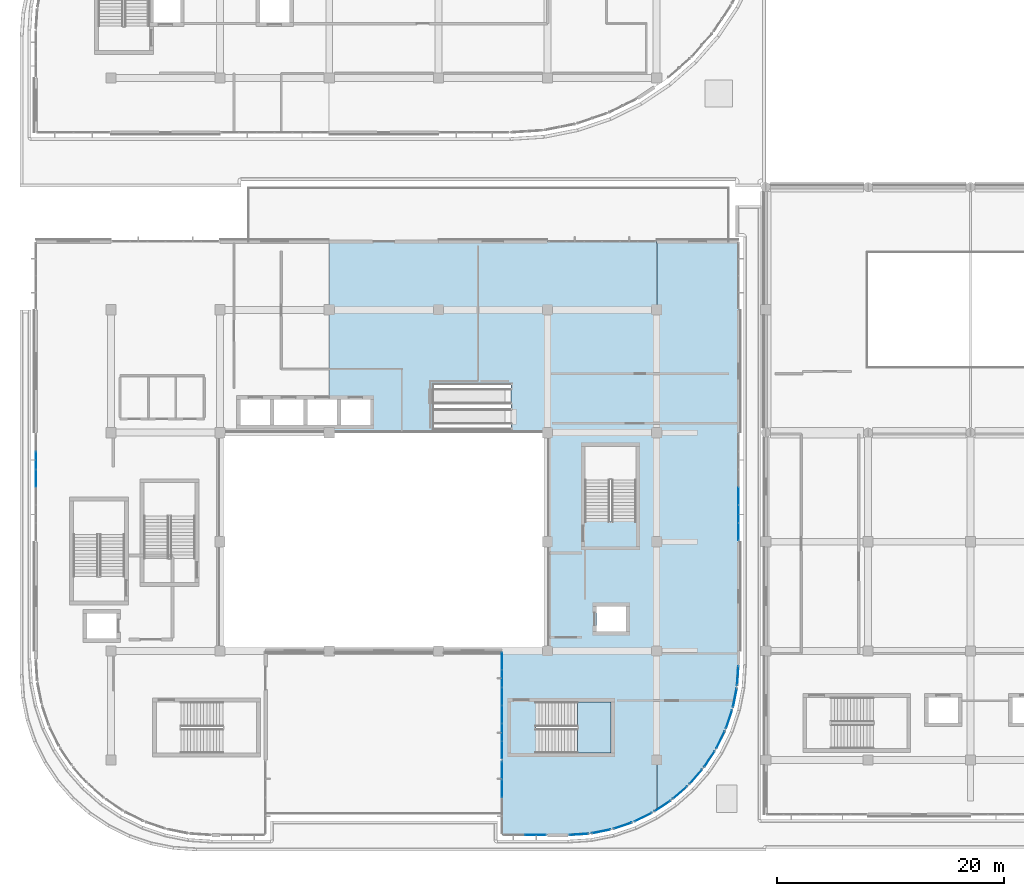
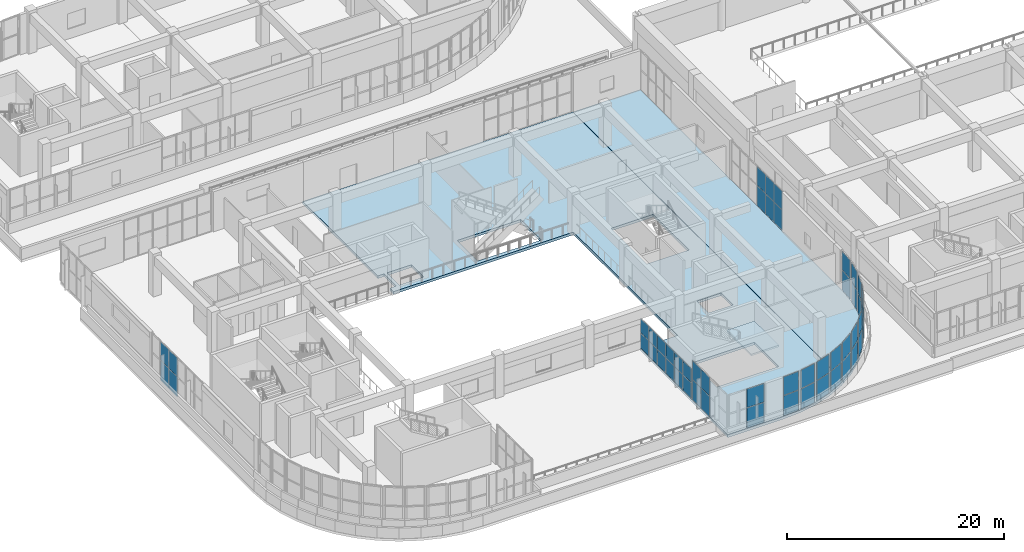
# One storey, part 45 of 96: 52 plates, 3 slabs, 18 elements without a shape of their own.
"""IFC4 building model written with IfcOpenShell, lengths in metres."""

from ifc_helpers import new_model, si_unit, direction, frame, origin, origin_2d, place, context, subcontext, project, spatial, polyline, rectangle, outline, extrude, material, layer, layer_set, type_object, element, aggregate, save


model = new_model("IFC4")

# Units and contexts
model_context = context("Model", 3, precision=1e-05, world=origin(), true_north=direction((0.0, 1.0)))
body_context = subcontext(model_context, "Body", "Model", "MODEL_VIEW")
ifc_project = project(units=[si_unit("LENGTHUNIT", "METRE"), si_unit("AREAUNIT", "SQUARE_METRE"), si_unit("VOLUMEUNIT", "CUBIC_METRE"), si_unit("PLANEANGLEUNIT", "RADIAN"), si_unit("MASSUNIT", "GRAM", prefix="KILO")], contexts=[model_context])

# Site, building, storey
site_placement = place(None, origin())
site = spatial("IfcSite", under=ifc_project, at=site_placement, CompositionType="ELEMENT")
building_placement = place(site_placement, origin())
building = spatial("IfcBuilding", under=site, at=building_placement, Name="Cendralis Terraced Arcade", CompositionType="ELEMENT")
storey_placement = place(building_placement, frame((0.0, 0.0, 10.199951171875)))
storey = spatial("IfcBuildingStorey", under=building, at=storey_placement, Name="L02", CompositionType="ELEMENT", Elevation=10.199951171875)

# Curtain wall, plates
ifc_material_1 = material(Name="Anodised aluminium EN AW-6063 T6", Category="aluminium")
ifc_layer_1 = layer(ifc_material_1, 0.1201171875, Name="CW-STORE-B")
ifc_layer_set_1 = layer_set([ifc_layer_1], Name="Anodised aluminium EN AW-6063 T6")
curtain_wall_type_1 = type_object("IfcCurtainWallType", Name="CW-STORE-B", PredefinedType="USERDEFINED", material=ifc_layer_set_1)
curtain_wall_1_placement = place(storey_placement, origin())
curtain_wall_1 = element("IfcCurtainWall", 1, at=curtain_wall_1_placement, inside=storey, type_object=curtain_wall_type_1, Name="Exterior Storefront Glazing CW-L02-0204", ObjectType="STOREFRONT GLAZING", PredefinedType="USERDEFINED")
ifc_material_2 = material(Name="Tempered solar control laminated glass", Category="glass")
ifc_layer_2 = layer(ifc_material_2, 0.02392578125, Name="CW-STORE-B-PNL")
ifc_layer_set_2 = layer_set([ifc_layer_2], Name="Tempered solar control laminated glass")
plate_type_1 = type_object("IfcPlateType", Name="CW-STORE-B-PNL", PredefinedType="CURTAIN_PANEL", material=ifc_layer_set_2)
plate_1_placement = place(storey_placement, frame((46.941162109375, 3.0, 0.05517578125), z_axis=(0.0, 0.0, 1.0), x_axis=(-1.0, 0.0, 0.0)))
plate_1 = element("IfcPlate", 2, at=plate_1_placement, type_object=plate_type_1, Name="CW-S2 panel 1.1", PredefinedType="CURTAIN_PANEL", context=body_context, shape_type="SweptSolid", body=[
    extrude(rectangle(XDim=1.827392578125, YDim=0.02392578125, at=origin_2d()), origin(), (0.0, 0.0, 1.0), 2.265380859375),
])
plate_2_placement = place(storey_placement, frame((46.941162109375, 3.0, 2.37548828125), z_axis=(0.0, 0.0, 1.0), x_axis=(-1.0, 0.0, 0.0)))
plate_2 = element("IfcPlate", 3, at=plate_2_placement, type_object=plate_type_1, Name="CW-S2 panel 1.2", PredefinedType="CURTAIN_PANEL", context=body_context, shape_type="SweptSolid", body=[
    extrude(rectangle(XDim=1.827392578125, YDim=0.02392578125, at=origin_2d()), origin(), (0.0, 0.0, 1.0), 2.084716796875),
])
aggregate(curtain_wall_1, [plate_1, plate_2])

curtain_wall_2_placement = place(storey_placement, origin())
curtain_wall_2 = element("IfcCurtainWall", 4, at=curtain_wall_2_placement, inside=storey, type_object=curtain_wall_type_1, Name="Exterior Storefront Glazing CW-L02-0205", ObjectType="STOREFRONT GLAZING", PredefinedType="USERDEFINED")
plate_3_placement = place(storey_placement, frame((44.0, 7.1025390625, 0.05517578125), z_axis=(0.0, 0.0, 1.0), x_axis=(0.0, 1.0, 0.0)))
plate_3 = element("IfcPlate", 5, at=plate_3_placement, type_object=plate_type_1, Name="CW-S2 panel 3.1", PredefinedType="CURTAIN_PANEL", context=body_context, shape_type="SweptSolid", body=[
    extrude(rectangle(XDim=1.550048828125, YDim=0.02392578125, at=origin_2d()), origin(), (0.0, 0.0, 1.0), 2.265380859375),
])
plate_4_placement = place(storey_placement, frame((44.0, 7.1025390625, 2.37548828125), z_axis=(0.0, 0.0, 1.0), x_axis=(0.0, 1.0, 0.0)))
plate_4 = element("IfcPlate", 6, at=plate_4_placement, type_object=plate_type_1, Name="CW-S2 panel 3.2", PredefinedType="CURTAIN_PANEL", context=body_context, shape_type="SweptSolid", body=[
    extrude(rectangle(XDim=1.550048828125, YDim=0.02392578125, at=origin_2d()), origin(), (0.0, 0.0, 1.0), 2.084716796875),
])
plate_5_placement = place(storey_placement, frame((44.0, 8.69384765625, 0.05517578125), z_axis=(0.0, 0.0, 1.0), x_axis=(0.0, 1.0, 0.0)))
plate_5 = element("IfcPlate", 7, at=plate_5_placement, type_object=plate_type_1, Name="CW-S2 panel 4.1", PredefinedType="CURTAIN_PANEL", context=body_context, shape_type="SweptSolid", body=[
    extrude(rectangle(XDim=1.5224609375, YDim=0.02392578125, at=origin_2d()), origin(), (0.0, 0.0, 1.0), 2.265380859375),
])
plate_6_placement = place(storey_placement, frame((44.0, 8.69384765625, 2.37548828125), z_axis=(0.0, 0.0, 1.0), x_axis=(0.0, 1.0, 0.0)))
plate_6 = element("IfcPlate", 8, at=plate_6_placement, type_object=plate_type_1, Name="CW-S2 panel 4.2", PredefinedType="CURTAIN_PANEL", context=body_context, shape_type="SweptSolid", body=[
    extrude(rectangle(XDim=1.5224609375, YDim=0.02392578125, at=origin_2d()), origin(), (0.0, 0.0, 1.0), 2.084716796875),
])
aggregate(curtain_wall_2, [plate_3, plate_4, plate_5, plate_6])

curtain_wall_3_placement = place(storey_placement, origin())
curtain_wall_3 = element("IfcCurtainWall", 9, at=curtain_wall_3_placement, inside=storey, type_object=curtain_wall_type_1, Name="Exterior Storefront Glazing CW-L02-0206", ObjectType="STOREFRONT GLAZING", PredefinedType="USERDEFINED")
plate_7_placement = place(storey_placement, frame((44.0, 10.48876953125, 0.05517578125), z_axis=(0.0, 0.0, 1.0), x_axis=(0.0, 1.0, 0.0)))
plate_7 = element("IfcPlate", 10, at=plate_7_placement, type_object=plate_type_1, Name="CW-S2 panel 1.1", PredefinedType="CURTAIN_PANEL", context=body_context, shape_type="SweptSolid", body=[
    extrude(rectangle(XDim=1.487548828125, YDim=0.02392578125, at=origin_2d()), origin(), (0.0, 0.0, 1.0), 1.714111328125),
])
plate_8_placement = place(storey_placement, frame((44.0, 10.48876953125, 1.82421875), z_axis=(0.0, 0.0, 1.0), x_axis=(0.0, 1.0, 0.0)))
plate_8 = element("IfcPlate", 11, at=plate_8_placement, type_object=plate_type_1, Name="CW-S2 panel 1.2", PredefinedType="CURTAIN_PANEL", context=body_context, shape_type="SweptSolid", body=[
    extrude(rectangle(XDim=1.487548828125, YDim=0.02392578125, at=origin_2d()), origin(), (0.0, 0.0, 1.0), 1.575927734375),
])
plate_9_placement = place(storey_placement, frame((44.0, 12.044921875, 0.05517578125), z_axis=(0.0, 0.0, 1.0), x_axis=(0.0, 1.0, 0.0)))
plate_9 = element("IfcPlate", 12, at=plate_9_placement, type_object=plate_type_1, Name="CW-S2 panel 2.1", PredefinedType="CURTAIN_PANEL", context=body_context, shape_type="SweptSolid", body=[
    extrude(rectangle(XDim=1.514892578125, YDim=0.02392578125, at=origin_2d()), origin(), (0.0, 0.0, 1.0), 1.714111328125),
])
plate_10_placement = place(storey_placement, frame((44.0, 12.044921875, 1.82421875), z_axis=(0.0, 0.0, 1.0), x_axis=(0.0, 1.0, 0.0)))
plate_10 = element("IfcPlate", 13, at=plate_10_placement, type_object=plate_type_1, Name="CW-S2 panel 2.2", PredefinedType="CURTAIN_PANEL", context=body_context, shape_type="SweptSolid", body=[
    extrude(rectangle(XDim=1.514892578125, YDim=0.02392578125, at=origin_2d()), origin(), (0.0, 0.0, 1.0), 1.575927734375),
])
plate_11_placement = place(storey_placement, frame((44.0, 13.614990234375, 0.05517578125), z_axis=(0.0, 0.0, 1.0), x_axis=(0.0, 1.0, 0.0)))
plate_11 = element("IfcPlate", 14, at=plate_11_placement, type_object=plate_type_1, Name="CW-S2 panel 3.1", PredefinedType="CURTAIN_PANEL", context=body_context, shape_type="SweptSolid", body=[
    extrude(rectangle(XDim=1.514892578125, YDim=0.02392578125, at=origin_2d()), origin(), (0.0, 0.0, 1.0), 1.714111328125),
])
plate_12_placement = place(storey_placement, frame((44.0, 13.614990234375, 1.82421875), z_axis=(0.0, 0.0, 1.0), x_axis=(0.0, 1.0, 0.0)))
plate_12 = element("IfcPlate", 15, at=plate_12_placement, type_object=plate_type_1, Name="CW-S2 panel 3.2", PredefinedType="CURTAIN_PANEL", context=body_context, shape_type="SweptSolid", body=[
    extrude(rectangle(XDim=1.514892578125, YDim=0.02392578125, at=origin_2d()), origin(), (0.0, 0.0, 1.0), 1.575927734375),
])
plate_13_placement = place(storey_placement, frame((44.0, 15.18505859375, 0.05517578125), z_axis=(0.0, 0.0, 1.0), x_axis=(0.0, 1.0, 0.0)))
plate_13 = element("IfcPlate", 16, at=plate_13_placement, type_object=plate_type_1, Name="CW-S2 panel 4.1", PredefinedType="CURTAIN_PANEL", context=body_context, shape_type="SweptSolid", body=[
    extrude(rectangle(XDim=1.514892578125, YDim=0.02392578125, at=origin_2d()), origin(), (0.0, 0.0, 1.0), 1.714111328125),
])
plate_14_placement = place(storey_placement, frame((44.0, 15.18505859375, 1.82421875), z_axis=(0.0, 0.0, 1.0), x_axis=(0.0, 1.0, 0.0)))
plate_14 = element("IfcPlate", 17, at=plate_14_placement, type_object=plate_type_1, Name="CW-S2 panel 4.2", PredefinedType="CURTAIN_PANEL", context=body_context, shape_type="SweptSolid", body=[
    extrude(rectangle(XDim=1.514892578125, YDim=0.02392578125, at=origin_2d()), origin(), (0.0, 0.0, 1.0), 1.575927734375),
])
plate_15_placement = place(storey_placement, frame((44.0, 16.7548828125, 0.05517578125), z_axis=(0.0, 0.0, 1.0), x_axis=(0.0, 1.0, 0.0)))
plate_15 = element("IfcPlate", 18, at=plate_15_placement, type_object=plate_type_1, Name="CW-S2 panel 5.1", PredefinedType="CURTAIN_PANEL", context=body_context, shape_type="SweptSolid", body=[
    extrude(rectangle(XDim=1.514892578125, YDim=0.02392578125, at=origin_2d()), origin(), (0.0, 0.0, 1.0), 1.714111328125),
])
plate_16_placement = place(storey_placement, frame((44.0, 16.7548828125, 1.82421875), z_axis=(0.0, 0.0, 1.0), x_axis=(0.0, 1.0, 0.0)))
plate_16 = element("IfcPlate", 19, at=plate_16_placement, type_object=plate_type_1, Name="CW-S2 panel 5.2", PredefinedType="CURTAIN_PANEL", context=body_context, shape_type="SweptSolid", body=[
    extrude(rectangle(XDim=1.514892578125, YDim=0.02392578125, at=origin_2d()), origin(), (0.0, 0.0, 1.0), 1.575927734375),
])
plate_17_placement = place(storey_placement, frame((44.0, 18.311279296875, 0.05517578125), z_axis=(0.0, 0.0, 1.0), x_axis=(0.0, 1.0, 0.0)))
plate_17 = element("IfcPlate", 20, at=plate_17_placement, type_object=plate_type_1, Name="CW-S2 panel 6.1", PredefinedType="CURTAIN_PANEL", context=body_context, shape_type="SweptSolid", body=[
    extrude(rectangle(XDim=1.487548828125, YDim=0.02392578125, at=origin_2d()), origin(), (0.0, 0.0, 1.0), 1.714111328125),
])
plate_18_placement = place(storey_placement, frame((44.0, 18.311279296875, 1.82421875), z_axis=(0.0, 0.0, 1.0), x_axis=(0.0, 1.0, 0.0)))
plate_18 = element("IfcPlate", 21, at=plate_18_placement, type_object=plate_type_1, Name="CW-S2 panel 6.2", PredefinedType="CURTAIN_PANEL", context=body_context, shape_type="SweptSolid", body=[
    extrude(rectangle(XDim=1.487548828125, YDim=0.02392578125, at=origin_2d()), origin(), (0.0, 0.0, 1.0), 1.575927734375),
])
aggregate(curtain_wall_3, [plate_7, plate_8, plate_9, plate_10, plate_11, plate_12, plate_13, plate_14, plate_15, plate_16, plate_17, plate_18])

curtain_wall_4_placement = place(storey_placement, origin())
curtain_wall_4 = element("IfcCurtainWall", 22, at=curtain_wall_4_placement, inside=storey, type_object=curtain_wall_type_1, Name="Exterior Storefront Glazing CW-L02-0221", ObjectType="STOREFRONT GLAZING", PredefinedType="USERDEFINED")
plate_19_placement = place(storey_placement, frame((3.0, 34.385009765625, 0.05517578125), z_axis=(0.0, 0.0, 1.0), x_axis=(0.0, 1.0, 0.0)))
plate_19 = element("IfcPlate", 23, at=plate_19_placement, type_object=plate_type_1, Name="CW-S2 panel 4.1", PredefinedType="CURTAIN_PANEL", context=body_context, shape_type="SweptSolid", body=[
    extrude(rectangle(XDim=1.514892578125, YDim=0.02392578125, at=origin_2d()), origin(), (0.0, 0.0, 1.0), 2.265380859375),
])
plate_20_placement = place(storey_placement, frame((3.0, 34.385009765625, 2.37548828125), z_axis=(0.0, 0.0, 1.0), x_axis=(0.0, 1.0, 0.0)))
plate_20 = element("IfcPlate", 24, at=plate_20_placement, type_object=plate_type_1, Name="CW-S2 panel 4.2", PredefinedType="CURTAIN_PANEL", context=body_context, shape_type="SweptSolid", body=[
    extrude(rectangle(XDim=1.514892578125, YDim=0.02392578125, at=origin_2d()), origin(), (0.0, 0.0, 1.0), 2.084716796875),
])
plate_21_placement = place(storey_placement, frame((3.0, 35.955078125, 0.05517578125), z_axis=(0.0, 0.0, 1.0), x_axis=(0.0, 1.0, 0.0)))
plate_21 = element("IfcPlate", 25, at=plate_21_placement, type_object=plate_type_1, Name="CW-S2 panel 5.1", PredefinedType="CURTAIN_PANEL", context=body_context, shape_type="SweptSolid", body=[
    extrude(rectangle(XDim=1.514892578125, YDim=0.02392578125, at=origin_2d()), origin(), (0.0, 0.0, 1.0), 2.265380859375),
])
plate_22_placement = place(storey_placement, frame((3.0, 35.955078125, 2.37548828125), z_axis=(0.0, 0.0, 1.0), x_axis=(0.0, 1.0, 0.0)))
plate_22 = element("IfcPlate", 26, at=plate_22_placement, type_object=plate_type_1, Name="CW-S2 panel 5.2", PredefinedType="CURTAIN_PANEL", context=body_context, shape_type="SweptSolid", body=[
    extrude(rectangle(XDim=1.514892578125, YDim=0.02392578125, at=origin_2d()), origin(), (0.0, 0.0, 1.0), 2.084716796875),
])
aggregate(curtain_wall_4, [plate_19, plate_20, plate_21, plate_22])

curtain_wall_5_placement = place(storey_placement, origin())
curtain_wall_5 = element("IfcCurtainWall", 27, at=curtain_wall_5_placement, inside=storey, type_object=curtain_wall_type_1, Name="Exterior Storefront Glazing CW-L02-0226", ObjectType="STOREFRONT GLAZING", PredefinedType="USERDEFINED")
plate_23_placement = place(storey_placement, frame((64.800048828125, 32.81494140625, 0.05517578125), z_axis=(0.0, 0.0, 1.0), x_axis=(0.0, -1.0, 0.0)))
plate_23 = element("IfcPlate", 28, at=plate_23_placement, type_object=plate_type_1, Name="CW-S2 panel 4.1", PredefinedType="CURTAIN_PANEL", context=body_context, shape_type="SweptSolid", body=[
    extrude(rectangle(XDim=1.514892578125, YDim=0.02392578125, at=origin_2d()), origin(), (0.0, 0.0, 1.0), 2.265380859375),
])
plate_24_placement = place(storey_placement, frame((64.800048828125, 32.81494140625, 2.37548828125), z_axis=(0.0, 0.0, 1.0), x_axis=(0.0, -1.0, 0.0)))
plate_24 = element("IfcPlate", 29, at=plate_24_placement, type_object=plate_type_1, Name="CW-S2 panel 4.2", PredefinedType="CURTAIN_PANEL", context=body_context, shape_type="SweptSolid", body=[
    extrude(rectangle(XDim=1.514892578125, YDim=0.02392578125, at=origin_2d()), origin(), (0.0, 0.0, 1.0), 2.084716796875),
])
plate_25_placement = place(storey_placement, frame((64.800048828125, 31.2451171875, 0.05517578125), z_axis=(0.0, 0.0, 1.0), x_axis=(0.0, -1.0, 0.0)))
plate_25 = element("IfcPlate", 30, at=plate_25_placement, type_object=plate_type_1, Name="CW-S2 panel 5.1", PredefinedType="CURTAIN_PANEL", context=body_context, shape_type="SweptSolid", body=[
    extrude(rectangle(XDim=1.514892578125, YDim=0.02392578125, at=origin_2d()), origin(), (0.0, 0.0, 1.0), 2.265380859375),
])
plate_26_placement = place(storey_placement, frame((64.800048828125, 31.2451171875, 2.37548828125), z_axis=(0.0, 0.0, 1.0), x_axis=(0.0, -1.0, 0.0)))
plate_26 = element("IfcPlate", 31, at=plate_26_placement, type_object=plate_type_1, Name="CW-S2 panel 5.2", PredefinedType="CURTAIN_PANEL", context=body_context, shape_type="SweptSolid", body=[
    extrude(rectangle(XDim=1.514892578125, YDim=0.02392578125, at=origin_2d()), origin(), (0.0, 0.0, 1.0), 2.084716796875),
])
plate_27_placement = place(storey_placement, frame((64.800048828125, 29.688720703125, 0.05517578125), z_axis=(0.0, 0.0, 1.0), x_axis=(0.0, -1.0, 0.0)))
plate_27 = element("IfcPlate", 32, at=plate_27_placement, type_object=plate_type_1, Name="CW-S2 panel 6.1", PredefinedType="CURTAIN_PANEL", context=body_context, shape_type="SweptSolid", body=[
    extrude(rectangle(XDim=1.487548828125, YDim=0.02392578125, at=origin_2d()), origin(), (0.0, 0.0, 1.0), 2.265380859375),
])
plate_28_placement = place(storey_placement, frame((64.800048828125, 29.688720703125, 2.37548828125), z_axis=(0.0, 0.0, 1.0), x_axis=(0.0, -1.0, 0.0)))
plate_28 = element("IfcPlate", 33, at=plate_28_placement, type_object=plate_type_1, Name="CW-S2 panel 6.2", PredefinedType="CURTAIN_PANEL", context=body_context, shape_type="SweptSolid", body=[
    extrude(rectangle(XDim=1.487548828125, YDim=0.02392578125, at=origin_2d()), origin(), (0.0, 0.0, 1.0), 2.084716796875),
])
aggregate(curtain_wall_5, [plate_23, plate_24, plate_25, plate_26, plate_27, plate_28])

ifc_layer_3 = layer(ifc_material_1, 0.179931640625, Name="CW-UNIT-A")
ifc_layer_set_3 = layer_set([ifc_layer_3], Name="Anodised aluminium EN AW-6063 T6")
curtain_wall_type_2 = type_object("IfcCurtainWallType", Name="CW-UNIT-A", PredefinedType="USERDEFINED", material=ifc_layer_set_3)
curtain_wall_6_placement = place(storey_placement, origin())
curtain_wall_6 = element("IfcCurtainWall", 34, at=curtain_wall_6_placement, inside=storey, type_object=curtain_wall_type_2, Name="Exterior Unitised Facade CW-L02-0192", ObjectType="UNITISED FACADE", PredefinedType="USERDEFINED")
ifc_layer_4 = layer(ifc_material_2, 0.035888671875, Name="CW-UNIT-A-PNL")
ifc_layer_set_4 = layer_set([ifc_layer_4], Name="Tempered solar control laminated glass")
plate_type_2 = type_object("IfcPlateType", Name="CW-UNIT-A-PNL", PredefinedType="CURTAIN_PANEL", material=ifc_layer_set_4)
plate_29_placement = place(storey_placement, frame((64.73583984375, 17.02099609375, 0.06494140625), z_axis=(0.0, 0.0, 1.0), x_axis=(-0.065371873798, -0.997860971336, 0.0)))
plate_29 = element("IfcPlate", 35, at=plate_29_placement, type_object=plate_type_2, Name="CW-U1 panel 1.1", PredefinedType="CURTAIN_PANEL", context=body_context, shape_type="SweptSolid", body=[
    extrude(rectangle(XDim=1.652099609375, YDim=0.035888671875, at=origin_2d()), origin(), (0.0, 0.0, 1.0), 2.250244140625),
])
plate_30_placement = place(storey_placement, frame((64.73583984375, 17.02099609375, 2.38037109375), z_axis=(0.0, 0.0, 1.0), x_axis=(-0.065371873798, -0.997860971336, 0.0)))
plate_30 = element("IfcPlate", 36, at=plate_30_placement, type_object=plate_type_2, Name="CW-U1 panel 1.2", PredefinedType="CURTAIN_PANEL", context=body_context, shape_type="SweptSolid", body=[
    extrude(rectangle(XDim=1.652099609375, YDim=0.035888671875, at=origin_2d()), origin(), (0.0, 0.0, 1.0), 2.069580078125),
])
aggregate(curtain_wall_6, [plate_29, plate_30])

curtain_wall_7_placement = place(storey_placement, origin())
curtain_wall_7 = element("IfcCurtainWall", 37, at=curtain_wall_7_placement, inside=storey, type_object=curtain_wall_type_2, Name="Exterior Unitised Facade CW-L02-0193", ObjectType="UNITISED FACADE", PredefinedType="USERDEFINED")
plate_31_placement = place(storey_placement, frame((64.480224609375, 15.079833984375, 0.06494140625), z_axis=(0.0, 0.0, 1.0), x_axis=(-0.195058454434, -0.980791618721, 0.0)))
plate_31 = element("IfcPlate", 38, at=plate_31_placement, type_object=plate_type_2, Name="CW-U1 panel 1.1", PredefinedType="CURTAIN_PANEL", context=body_context, shape_type="SweptSolid", body=[
    extrude(rectangle(XDim=1.652099609375, YDim=0.035888671875, at=origin_2d()), origin(), (0.0, 0.0, 1.0), 2.250244140625),
])
plate_32_placement = place(storey_placement, frame((64.480224609375, 15.079833984375, 2.38037109375), z_axis=(0.0, 0.0, 1.0), x_axis=(-0.195058454434, -0.980791618721, 0.0)))
plate_32 = element("IfcPlate", 39, at=plate_32_placement, type_object=plate_type_2, Name="CW-U1 panel 1.2", PredefinedType="CURTAIN_PANEL", context=body_context, shape_type="SweptSolid", body=[
    extrude(rectangle(XDim=1.652099609375, YDim=0.035888671875, at=origin_2d()), origin(), (0.0, 0.0, 1.0), 2.069580078125),
])
aggregate(curtain_wall_7, [plate_31, plate_32])

curtain_wall_8_placement = place(storey_placement, origin())
curtain_wall_8 = element("IfcCurtainWall", 40, at=curtain_wall_8_placement, inside=storey, type_object=curtain_wall_type_2, Name="Exterior Unitised Facade CW-L02-0194", ObjectType="UNITISED FACADE", PredefinedType="USERDEFINED")
plate_33_placement = place(storey_placement, frame((63.9736328125, 13.188720703125, 0.06494140625), z_axis=(0.0, 0.0, 1.0), x_axis=(-0.321458077458, -0.946923811316, 0.0)))
plate_33 = element("IfcPlate", 41, at=plate_33_placement, type_object=plate_type_2, Name="CW-U1 panel 1.1", PredefinedType="CURTAIN_PANEL", context=body_context, shape_type="SweptSolid", body=[
    extrude(rectangle(XDim=1.652099609375, YDim=0.035888671875, at=origin_2d()), origin(), (0.0, 0.0, 1.0), 2.250244140625),
])
plate_34_placement = place(storey_placement, frame((63.9736328125, 13.188720703125, 2.38037109375), z_axis=(0.0, 0.0, 1.0), x_axis=(-0.321458077458, -0.946923811316, 0.0)))
plate_34 = element("IfcPlate", 42, at=plate_34_placement, type_object=plate_type_2, Name="CW-U1 panel 1.2", PredefinedType="CURTAIN_PANEL", context=body_context, shape_type="SweptSolid", body=[
    extrude(rectangle(XDim=1.652099609375, YDim=0.035888671875, at=origin_2d()), origin(), (0.0, 0.0, 1.0), 2.069580078125),
])
aggregate(curtain_wall_8, [plate_33, plate_34])

curtain_wall_9_placement = place(storey_placement, origin())
curtain_wall_9 = element("IfcCurtainWall", 43, at=curtain_wall_9_placement, inside=storey, type_object=curtain_wall_type_2, Name="Exterior Unitised Facade CW-L02-0195", ObjectType="UNITISED FACADE", PredefinedType="USERDEFINED")
plate_35_placement = place(storey_placement, frame((63.224365234375, 11.3798828125, 0.06494140625), z_axis=(0.0, 0.0, 1.0), x_axis=(-0.442291247495, -0.896871480419, 0.0)))
plate_35 = element("IfcPlate", 44, at=plate_35_placement, type_object=plate_type_2, Name="CW-U1 panel 1.1", PredefinedType="CURTAIN_PANEL", context=body_context, shape_type="SweptSolid", body=[
    extrude(rectangle(XDim=1.652099609375, YDim=0.035888671875, at=origin_2d()), origin(), (0.0, 0.0, 1.0), 2.250244140625),
])
plate_36_placement = place(storey_placement, frame((63.224365234375, 11.3798828125, 2.38037109375), z_axis=(0.0, 0.0, 1.0), x_axis=(-0.442291247495, -0.896871480419, 0.0)))
plate_36 = element("IfcPlate", 45, at=plate_36_placement, type_object=plate_type_2, Name="CW-U1 panel 1.2", PredefinedType="CURTAIN_PANEL", context=body_context, shape_type="SweptSolid", body=[
    extrude(rectangle(XDim=1.652099609375, YDim=0.035888671875, at=origin_2d()), origin(), (0.0, 0.0, 1.0), 2.069580078125),
])
aggregate(curtain_wall_9, [plate_35, plate_36])

curtain_wall_10_placement = place(storey_placement, origin())
curtain_wall_10 = element("IfcCurtainWall", 46, at=curtain_wall_10_placement, inside=storey, type_object=curtain_wall_type_2, Name="Exterior Unitised Facade CW-L02-0196", ObjectType="UNITISED FACADE", PredefinedType="USERDEFINED")
plate_37_placement = place(storey_placement, frame((62.245361328125, 9.684326171875, 0.06494140625), z_axis=(0.0, 0.0, 1.0), x_axis=(-0.555567476528, -0.831471454125, 0.0)))
plate_37 = element("IfcPlate", 47, at=plate_37_placement, type_object=plate_type_2, Name="CW-U1 panel 1.1", PredefinedType="CURTAIN_PANEL", context=body_context, shape_type="SweptSolid", body=[
    extrude(rectangle(XDim=1.652099609375, YDim=0.035888671875, at=origin_2d()), origin(), (0.0, 0.0, 1.0), 2.250244140625),
])
plate_38_placement = place(storey_placement, frame((62.245361328125, 9.684326171875, 2.38037109375), z_axis=(0.0, 0.0, 1.0), x_axis=(-0.555567476528, -0.831471454125, 0.0)))
plate_38 = element("IfcPlate", 48, at=plate_38_placement, type_object=plate_type_2, Name="CW-U1 panel 1.2", PredefinedType="CURTAIN_PANEL", context=body_context, shape_type="SweptSolid", body=[
    extrude(rectangle(XDim=1.652099609375, YDim=0.035888671875, at=origin_2d()), origin(), (0.0, 0.0, 1.0), 2.069580078125),
])
aggregate(curtain_wall_10, [plate_37, plate_38])

curtain_wall_11_placement = place(storey_placement, origin())
curtain_wall_11 = element("IfcCurtainWall", 49, at=curtain_wall_11_placement, inside=storey, type_object=curtain_wall_type_2, Name="Exterior Unitised Facade CW-L02-0197", ObjectType="UNITISED FACADE", PredefinedType="USERDEFINED")
plate_39_placement = place(storey_placement, frame((61.053466796875, 8.131103515625, 0.06494140625), z_axis=(0.0, 0.0, 1.0), x_axis=(-0.659386076266, -0.751804497477, 0.0)))
plate_39 = element("IfcPlate", 50, at=plate_39_placement, type_object=plate_type_2, Name="CW-U1 panel 1.1", PredefinedType="CURTAIN_PANEL", context=body_context, shape_type="SweptSolid", body=[
    extrude(rectangle(XDim=1.652099609375, YDim=0.035888671875, at=origin_2d()), origin(), (0.0, 0.0, 1.0), 2.250244140625),
])
plate_40_placement = place(storey_placement, frame((61.053466796875, 8.131103515625, 2.38037109375), z_axis=(0.0, 0.0, 1.0), x_axis=(-0.659386076266, -0.751804497477, 0.0)))
plate_40 = element("IfcPlate", 51, at=plate_40_placement, type_object=plate_type_2, Name="CW-U1 panel 1.2", PredefinedType="CURTAIN_PANEL", context=body_context, shape_type="SweptSolid", body=[
    extrude(rectangle(XDim=1.652099609375, YDim=0.035888671875, at=origin_2d()), origin(), (0.0, 0.0, 1.0), 2.069580078125),
])
aggregate(curtain_wall_11, [plate_39, plate_40])

curtain_wall_12_placement = place(storey_placement, origin())
curtain_wall_12 = element("IfcCurtainWall", 52, at=curtain_wall_12_placement, inside=storey, type_object=curtain_wall_type_2, Name="Exterior Unitised Facade CW-L02-0198", ObjectType="UNITISED FACADE", PredefinedType="USERDEFINED")
plate_41_placement = place(storey_placement, frame((59.6689453125, 6.74658203125, 0.06494140625), z_axis=(0.0, 0.0, 1.0), x_axis=(-0.751804497477, -0.659386076266, 0.0)))
plate_41 = element("IfcPlate", 53, at=plate_41_placement, type_object=plate_type_2, Name="CW-U1 panel 1.1", PredefinedType="CURTAIN_PANEL", context=body_context, shape_type="SweptSolid", body=[
    extrude(rectangle(XDim=1.652099609375, YDim=0.035888671875, at=origin_2d()), origin(), (0.0, 0.0, 1.0), 2.250244140625),
])
plate_42_placement = place(storey_placement, frame((59.6689453125, 6.74658203125, 2.38037109375), z_axis=(0.0, 0.0, 1.0), x_axis=(-0.751804497477, -0.659386076266, 0.0)))
plate_42 = element("IfcPlate", 54, at=plate_42_placement, type_object=plate_type_2, Name="CW-U1 panel 1.2", PredefinedType="CURTAIN_PANEL", context=body_context, shape_type="SweptSolid", body=[
    extrude(rectangle(XDim=1.652099609375, YDim=0.035888671875, at=origin_2d()), origin(), (0.0, 0.0, 1.0), 2.069580078125),
])
aggregate(curtain_wall_12, [plate_41, plate_42])

curtain_wall_13_placement = place(storey_placement, origin())
curtain_wall_13 = element("IfcCurtainWall", 55, at=curtain_wall_13_placement, inside=storey, type_object=curtain_wall_type_2, Name="Exterior Unitised Facade CW-L02-0199", ObjectType="UNITISED FACADE", PredefinedType="USERDEFINED")
plate_43_placement = place(storey_placement, frame((58.11572265625, 5.5546875, 0.06494140625), z_axis=(0.0, 0.0, 1.0), x_axis=(-0.831471454125, -0.555567476528, 0.0)))
plate_43 = element("IfcPlate", 56, at=plate_43_placement, type_object=plate_type_2, Name="CW-U1 panel 1.1", PredefinedType="CURTAIN_PANEL", context=body_context, shape_type="SweptSolid", body=[
    extrude(rectangle(XDim=1.652099609375, YDim=0.035888671875, at=origin_2d()), origin(), (0.0, 0.0, 1.0), 2.250244140625),
])
plate_44_placement = place(storey_placement, frame((58.11572265625, 5.5546875, 2.38037109375), z_axis=(0.0, 0.0, 1.0), x_axis=(-0.831471454125, -0.555567476528, 0.0)))
plate_44 = element("IfcPlate", 57, at=plate_44_placement, type_object=plate_type_2, Name="CW-U1 panel 1.2", PredefinedType="CURTAIN_PANEL", context=body_context, shape_type="SweptSolid", body=[
    extrude(rectangle(XDim=1.652099609375, YDim=0.035888671875, at=origin_2d()), origin(), (0.0, 0.0, 1.0), 2.069580078125),
])
aggregate(curtain_wall_13, [plate_43, plate_44])

curtain_wall_14_placement = place(storey_placement, origin())
curtain_wall_14 = element("IfcCurtainWall", 58, at=curtain_wall_14_placement, inside=storey, type_object=curtain_wall_type_2, Name="Exterior Unitised Facade CW-L02-0200", ObjectType="UNITISED FACADE", PredefinedType="USERDEFINED")
plate_45_placement = place(storey_placement, frame((56.420166015625, 4.57568359375, 0.06494140625), z_axis=(0.0, 0.0, 1.0), x_axis=(-0.896871480419, -0.442291247495, 0.0)))
plate_45 = element("IfcPlate", 59, at=plate_45_placement, type_object=plate_type_2, Name="CW-U1 panel 1.1", PredefinedType="CURTAIN_PANEL", context=body_context, shape_type="SweptSolid", body=[
    extrude(rectangle(XDim=1.652099609375, YDim=0.035888671875, at=origin_2d()), origin(), (0.0, 0.0, 1.0), 2.250244140625),
])
plate_46_placement = place(storey_placement, frame((56.420166015625, 4.57568359375, 2.38037109375), z_axis=(0.0, 0.0, 1.0), x_axis=(-0.896871480419, -0.442291247495, 0.0)))
plate_46 = element("IfcPlate", 60, at=plate_46_placement, type_object=plate_type_2, Name="CW-U1 panel 1.2", PredefinedType="CURTAIN_PANEL", context=body_context, shape_type="SweptSolid", body=[
    extrude(rectangle(XDim=1.652099609375, YDim=0.035888671875, at=origin_2d()), origin(), (0.0, 0.0, 1.0), 2.069580078125),
])
aggregate(curtain_wall_14, [plate_45, plate_46])

curtain_wall_15_placement = place(storey_placement, origin())
curtain_wall_15 = element("IfcCurtainWall", 61, at=curtain_wall_15_placement, inside=storey, type_object=curtain_wall_type_2, Name="Exterior Unitised Facade CW-L02-0201", ObjectType="UNITISED FACADE", PredefinedType="USERDEFINED")
plate_47_placement = place(storey_placement, frame((54.611328125, 3.826416015625, 0.06494140625), z_axis=(0.0, 0.0, 1.0), x_axis=(-0.946923811316, -0.321458077458, 0.0)))
plate_47 = element("IfcPlate", 62, at=plate_47_placement, type_object=plate_type_2, Name="CW-U1 panel 1.1", PredefinedType="CURTAIN_PANEL", context=body_context, shape_type="SweptSolid", body=[
    extrude(rectangle(XDim=1.652099609375, YDim=0.035888671875, at=origin_2d()), origin(), (0.0, 0.0, 1.0), 2.250244140625),
])
plate_48_placement = place(storey_placement, frame((54.611328125, 3.826416015625, 2.38037109375), z_axis=(0.0, 0.0, 1.0), x_axis=(-0.946923811316, -0.321458077458, 0.0)))
plate_48 = element("IfcPlate", 63, at=plate_48_placement, type_object=plate_type_2, Name="CW-U1 panel 1.2", PredefinedType="CURTAIN_PANEL", context=body_context, shape_type="SweptSolid", body=[
    extrude(rectangle(XDim=1.652099609375, YDim=0.035888671875, at=origin_2d()), origin(), (0.0, 0.0, 1.0), 2.069580078125),
])
aggregate(curtain_wall_15, [plate_47, plate_48])

curtain_wall_16_placement = place(storey_placement, origin())
curtain_wall_16 = element("IfcCurtainWall", 64, at=curtain_wall_16_placement, inside=storey, type_object=curtain_wall_type_2, Name="Exterior Unitised Facade CW-L02-0202", ObjectType="UNITISED FACADE", PredefinedType="USERDEFINED")
plate_49_placement = place(storey_placement, frame((52.72021484375, 3.319580078125, 0.06494140625), z_axis=(0.0, 0.0, 1.0), x_axis=(-0.980791618721, -0.195058454434, 0.0)))
plate_49 = element("IfcPlate", 65, at=plate_49_placement, type_object=plate_type_2, Name="CW-U1 panel 1.1", PredefinedType="CURTAIN_PANEL", context=body_context, shape_type="SweptSolid", body=[
    extrude(rectangle(XDim=1.652099609375, YDim=0.035888671875, at=origin_2d()), origin(), (0.0, 0.0, 1.0), 2.250244140625),
])
plate_50_placement = place(storey_placement, frame((52.72021484375, 3.319580078125, 2.38037109375), z_axis=(0.0, 0.0, 1.0), x_axis=(-0.980791618721, -0.195058454434, 0.0)))
plate_50 = element("IfcPlate", 66, at=plate_50_placement, type_object=plate_type_2, Name="CW-U1 panel 1.2", PredefinedType="CURTAIN_PANEL", context=body_context, shape_type="SweptSolid", body=[
    extrude(rectangle(XDim=1.652099609375, YDim=0.035888671875, at=origin_2d()), origin(), (0.0, 0.0, 1.0), 2.069580078125),
])
aggregate(curtain_wall_16, [plate_49, plate_50])

curtain_wall_17_placement = place(storey_placement, origin())
curtain_wall_17 = element("IfcCurtainWall", 67, at=curtain_wall_17_placement, inside=storey, type_object=curtain_wall_type_2, Name="Exterior Unitised Facade CW-L02-0203", ObjectType="UNITISED FACADE", PredefinedType="USERDEFINED")
plate_51_placement = place(storey_placement, frame((50.779052734375, 3.064208984375, 0.06494140625), z_axis=(0.0, 0.0, 1.0), x_axis=(-0.997860971336, -0.065371873798, 0.0)))
plate_51 = element("IfcPlate", 68, at=plate_51_placement, type_object=plate_type_2, Name="CW-U1 panel 1.1", PredefinedType="CURTAIN_PANEL", context=body_context, shape_type="SweptSolid", body=[
    extrude(rectangle(XDim=1.652099609375, YDim=0.035888671875, at=origin_2d()), origin(), (0.0, 0.0, 1.0), 2.250244140625),
])
plate_52_placement = place(storey_placement, frame((50.779052734375, 3.064208984375, 2.38037109375), z_axis=(0.0, 0.0, 1.0), x_axis=(-0.997860971336, -0.065371873798, 0.0)))
plate_52 = element("IfcPlate", 69, at=plate_52_placement, type_object=plate_type_2, Name="CW-U1 panel 1.2", PredefinedType="CURTAIN_PANEL", context=body_context, shape_type="SweptSolid", body=[
    extrude(rectangle(XDim=1.652099609375, YDim=0.035888671875, at=origin_2d()), origin(), (0.0, 0.0, 1.0), 2.069580078125),
])
aggregate(curtain_wall_17, [plate_51, plate_52])

# Slabs
ifc_material_3 = material(Name="Concrete f'c 35 MPa", Category="concrete")
ifc_layer_5 = layer(ifc_material_3, 0.294921875, Name="SLB-L02-295")
ifc_layer_set_5 = layer_set([ifc_layer_5], Name="Concrete f'c 35 MPa")
slab_type_1 = type_object("IfcSlabType", Name="SLB-L02-295", PredefinedType="FLOOR", material=ifc_layer_set_5)
slab_1_placement = place(storey_placement, frame((0.0, 0.0, -0.294921875)))
element("IfcSlab", 70, at=slab_1_placement, inside=storey, type_object=slab_type_1, Name="Reinforced Concrete Floor Slab SLB-L02-V1-W2-1", PredefinedType="FLOOR", context=body_context, shape_type="SweptSolid", body=[
    extrude(outline(polyline([(57.300048828125, 5.009521484375), (55.540283203125, 4.141845703125), (53.682373046875, 3.510986328125), (51.7578125, 3.12841796875), (49.800048828125, 3.0), (44.0, 3.0), (44.0, 19.199951171875), (48.0, 19.199951171875), (48.0, 38.39990234375), (28.820068359375, 38.39990234375), (28.820068359375, 39.074951171875), (29.47998046875, 39.074951171875), (29.47998046875, 41.324951171875), (28.820068359375, 41.324951171875), (28.820068359375, 55.199951171875), (57.60009765625, 55.199951171875), (57.60009765625, 5.210205078125), (57.300048828125, 5.009521484375)]), holes=[polyline([(53.60009765625, 14.699951171875), (46.97998046875, 14.699951171875), (46.97998046875, 10.199951171875), (53.60009765625, 10.199951171875), (53.60009765625, 14.699951171875)]), polyline([(32.419921875, 41.324951171875), (29.820068359375, 41.324951171875), (29.820068359375, 39.074951171875), (32.419921875, 39.074951171875), (32.419921875, 41.324951171875)]), polyline([(44.77490234375, 42.60009765625), (38.02490234375, 42.60009765625), (38.02490234375, 38.800048828125), (44.77490234375, 38.800048828125), (44.77490234375, 42.60009765625)]), polyline([(54.89990234375, 23.10009765625), (52.300048828125, 23.10009765625), (52.300048828125, 20.89990234375), (54.89990234375, 20.89990234375), (54.89990234375, 23.10009765625)]), polyline([(55.800048828125, 37.199951171875), (51.300048828125, 37.199951171875), (51.300048828125, 30.580078125), (55.800048828125, 30.580078125), (55.800048828125, 37.199951171875)])]), origin(), (0.0, 0.0, 1.0), 0.294921875),
])
slab_2_placement = place(storey_placement, frame((0.0, 0.0, -0.294921875)))
element("IfcSlab", 71, at=slab_2_placement, inside=storey, type_object=slab_type_1, Name="Reinforced Concrete Floor Slab SLB-L02-V1-C1-1", PredefinedType="FLOOR", context=body_context, shape_type="SweptSolid", body=[
    extrude(outline(polyline([(64.671630859375, 16.0419921875), (64.288818359375, 14.11767578125), (63.658203125, 12.259765625), (62.790283203125, 10.5), (61.7001953125, 8.86865234375), (60.406494140625, 7.393310546875), (58.931396484375, 6.099609375), (57.6201171875, 5.223388671875), (57.6201171875, 55.199951171875), (64.800048828125, 55.199951171875), (64.800048828125, 18.0), (64.671630859375, 16.0419921875)])), origin(), (0.0, 0.0, 1.0), 0.294921875),
])

# Stair, slab
stair_type = type_object("IfcStairType", Name="STR-W215-H480", PredefinedType="HALF_TURN_STAIR", material=ifc_material_3)
stair_placement = place(storey_placement, origin())
stair = element("IfcStair", 72, at=stair_placement, inside=storey, type_object=stair_type, Name="L02 Protected Exit Stair ST-03", PredefinedType="HALF_TURN_STAIR")
ifc_layer_6 = layer(ifc_material_3, 0.199951171875, Name="SLB-STAIR-LND-200")
ifc_layer_set_6 = layer_set([ifc_layer_6], Name="Concrete f'c 35 MPa")
slab_type_2 = type_object("IfcSlabType", Name="SLB-STAIR-LND-200", PredefinedType="LANDING", material=ifc_layer_set_6)
slab_3_placement = place(storey_placement, frame((0.0, 0.0, 2.199951171875)))
slab_3 = element("IfcSlab", 73, at=slab_3_placement, type_object=slab_type_2, Name="ST-03 landing 1", PredefinedType="LANDING", context=body_context, shape_type="SweptSolid", body=[
    extrude(outline(polyline([(50.655029296875, 10.199951171875), (53.60009765625, 10.199951171875), (53.60009765625, 14.699951171875), (50.655029296875, 14.699951171875), (50.655029296875, 10.199951171875)])), origin(), (0.0, 0.0, 1.0), 0.2001953125),
])
aggregate(stair, [slab_3])

save(model, "model.ifc")
